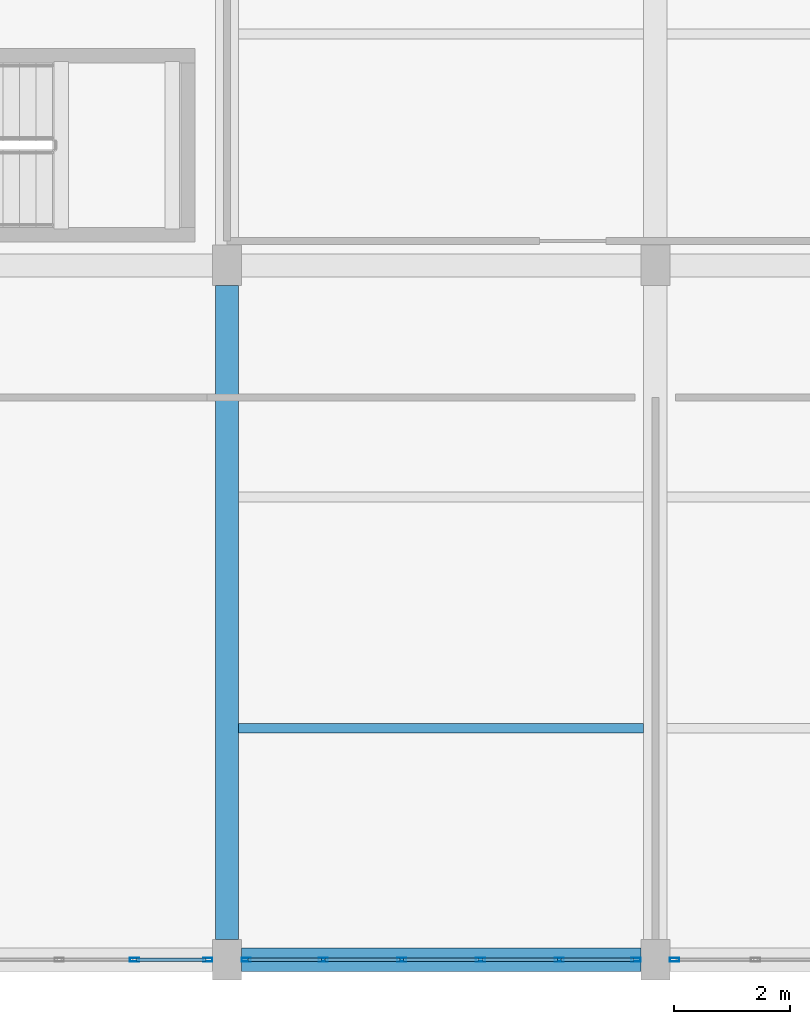
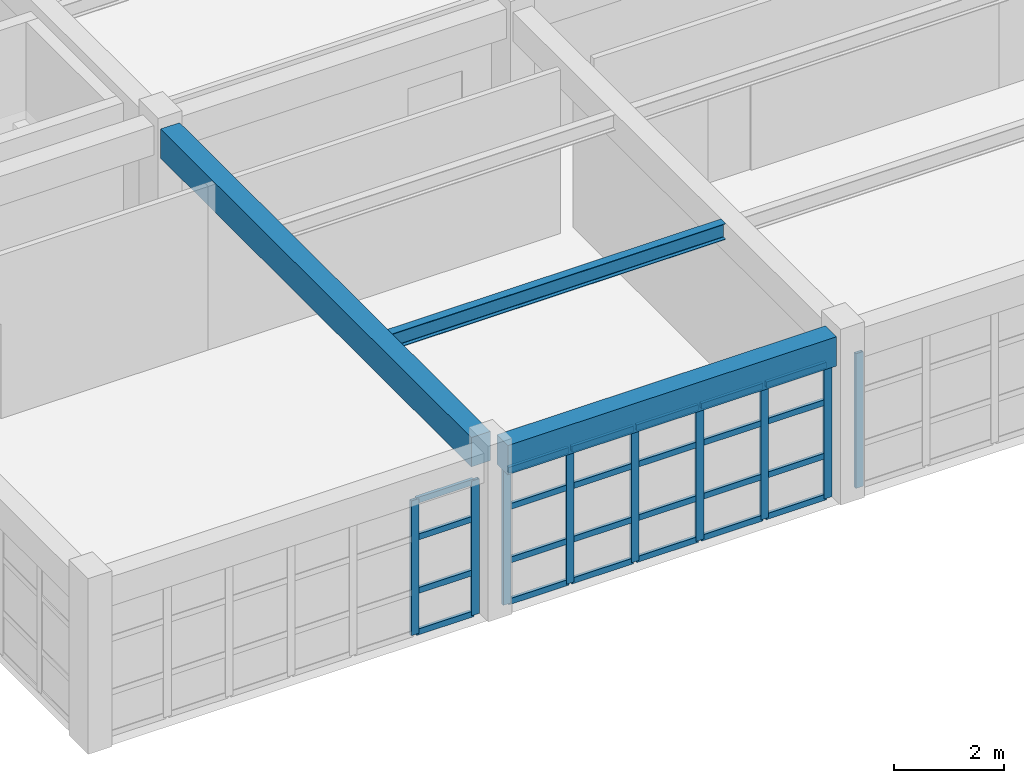
# One storey, part 19 of 150: 33 members, 3 beams, 3 elements without a shape of their own.
"""IFC4 building model written with IfcOpenShell, lengths in metres."""

from ifc_helpers import new_model, si_unit, direction, frame, origin, origin_2d, place, context, subcontext, project, spatial, rectangle, hollow_rectangle, i_section, extrude, material, material_profile, profile_set, type_object, element, aggregate, save


model = new_model("IFC4")

# Units and contexts
model_context = context("Model", 3, precision=1e-05, world=origin(), true_north=direction((0.0, 1.0)))
body_context = subcontext(model_context, "Body", "Model", "MODEL_VIEW")
ifc_project = project(units=[si_unit("LENGTHUNIT", "METRE"), si_unit("AREAUNIT", "SQUARE_METRE"), si_unit("VOLUMEUNIT", "CUBIC_METRE"), si_unit("PLANEANGLEUNIT", "RADIAN"), si_unit("MASSUNIT", "GRAM", prefix="KILO")], contexts=[model_context])

# Site, building, storey
site_placement = place(None, origin())
site = spatial("IfcSite", under=ifc_project, at=site_placement, CompositionType="ELEMENT")
building_placement = place(site_placement, origin())
building = spatial("IfcBuilding", under=site, at=building_placement, Name="Kestramere Prow Commons", CompositionType="ELEMENT")
storey_placement = place(building_placement, frame((0.0, 0.0, 4.5)))
storey = spatial("IfcBuildingStorey", under=building, at=storey_placement, Name="L01", CompositionType="ELEMENT", Elevation=4.5)

# Beams
ifc_material_1 = material(Name="Precast concrete C40/50", Category="concrete")
ifc_material_profile_1 = material_profile(ifc_material_1, rectangle(XDim=0.39990234375, YDim=0.64990234375, at=origin_2d()), Name="PC-BM 400x650")
ifc_profile_set_1 = profile_set([ifc_material_profile_1], Name="Precast concrete C40/50")
beam_type_1 = type_object("IfcBeamType", Name="BM-MK-01 PC-BM 400x650", PredefinedType="BEAM", material=ifc_profile_set_1)
beam_1_placement = place(storey_placement, frame((68.39990234375, 0.35009765625, 3.324951171875), z_axis=(0.0, 1.0, 0.0), x_axis=(-1.0, 0.0, 0.0)))
element("IfcBeam", 1, at=beam_1_placement, inside=storey, type_object=beam_type_1, Name="Market Spine L01 Beam Y 2-1", PredefinedType="BEAM", context=body_context, shape_type="SweptSolid", body=[
    extrude(rectangle(XDim=0.39990234375, YDim=0.64990234375, at=origin_2d()), origin(), (0.0, 0.0, 1.0), 11.2998046875),
])
ifc_material_profile_2 = material_profile(ifc_material_1, rectangle(XDim=0.39990234375, YDim=0.64990234375, at=origin_2d()), Name="PC-BM 400x650")
ifc_profile_set_2 = profile_set([ifc_material_profile_2], Name="Precast concrete C40/50")
beam_type_2 = type_object("IfcBeamType", Name="BM-MK-01 PC-BM 400x650 (EX)", PredefinedType="BEAM", material=ifc_profile_set_2)
beam_2_placement = place(storey_placement, frame((68.64990234375, 0.0, 3.324951171875), z_axis=(1.0, 0.0, 0.0), x_axis=(0.0, 1.0, 0.0)))
element("IfcBeam", 2, at=beam_2_placement, inside=storey, type_object=beam_type_2, Name="Market Spine L01 Beam X 1-2", PredefinedType="BEAM", context=body_context, shape_type="SweptSolid", body=[
    extrude(rectangle(XDim=0.39990234375, YDim=0.64990234375, at=origin_2d()), origin(), (0.0, 0.0, 1.0), 6.900146484375),
])

# Curtain wall, members
ifc_material_2 = material(Name="Anodised Aluminium and Low-E Glass", Category="aluminium")
curtain_wall_type_1 = type_object("IfcCurtainWallType", Name="CW-23 Glazed Curtain Wall 7800x2990", PredefinedType="USERDEFINED", material=ifc_material_2)
curtain_wall_1_placement = place(storey_placement, origin())
curtain_wall_1 = element("IfcCurtainWall", 3, at=curtain_wall_1_placement, inside=storey, type_object=curtain_wall_type_1, Name="Market L01 South Shopfront 1", ObjectType="GLAZED CURTAIN WALL", PredefinedType="USERDEFINED")
ifc_material_3 = material(Name="Anodised Aluminium 6063-T6", Category="aluminium")
ifc_material_profile_3 = material_profile(ifc_material_3, hollow_rectangle(XDim=0.06494140625, YDim=0.159912109375, WallThickness=0.00390625, at=origin_2d()), Name="ALU-MUL 65x160")
ifc_profile_set_3 = profile_set([ifc_material_profile_3], Name="Anodised Aluminium 6063-T6")
member_type_1 = type_object("IfcMemberType", Name="CW-MUL-65x160", PredefinedType="MULLION", material=ifc_profile_set_3)
member_1_placement = place(storey_placement, frame((68.0673828125, 0.0, 0.0), z_axis=(0.0, 0.0, 1.0), x_axis=(0.0, -1.0, 0.0)))
member_1 = element("IfcMember", 4, at=member_1_placement, type_object=member_type_1, Name="CW-23 mullion 1", PredefinedType="MULLION", context=body_context, shape_type="SweptSolid", body=[
    extrude(hollow_rectangle(XDim=0.06494140625, YDim=0.159912109375, WallThickness=0.00390625, at=origin_2d()), origin(), (0.0, 0.0, 1.0), 2.989990234375),
])
member_2_placement = place(storey_placement, frame((66.800048828125, 0.0, 0.0), z_axis=(0.0, 0.0, 1.0), x_axis=(0.0, -1.0, 0.0)))
member_2 = element("IfcMember", 5, at=member_2_placement, type_object=member_type_1, Name="CW-23 mullion 2", PredefinedType="MULLION", context=body_context, shape_type="SweptSolid", body=[
    extrude(hollow_rectangle(XDim=0.06494140625, YDim=0.159912109375, WallThickness=0.00390625, at=origin_2d()), origin(), (0.0, 0.0, 1.0), 2.989990234375),
])

curtain_wall_type_2 = type_object("IfcCurtainWallType", Name="CW-24 Glazed Curtain Wall 6800x2990", PredefinedType="USERDEFINED", material=ifc_material_2)
curtain_wall_2_placement = place(storey_placement, origin())
curtain_wall_2 = element("IfcCurtainWall", 6, at=curtain_wall_2_placement, inside=storey, type_object=curtain_wall_type_2, Name="Market L01 South Shopfront 2", ObjectType="GLAZED CURTAIN WALL", PredefinedType="USERDEFINED")
member_3_placement = place(storey_placement, frame((75.467529296875, 0.0, 0.0), z_axis=(0.0, 0.0, 1.0), x_axis=(0.0, -1.0, 0.0)))
member_3 = element("IfcMember", 7, at=member_3_placement, type_object=member_type_1, Name="CW-24 mullion 1", PredefinedType="MULLION", context=body_context, shape_type="SweptSolid", body=[
    extrude(hollow_rectangle(XDim=0.06494140625, YDim=0.159912109375, WallThickness=0.00390625, at=origin_2d()), origin(), (0.0, 0.0, 1.0), 2.989990234375),
])
member_4_placement = place(storey_placement, frame((74.139892578125, 0.0, 0.0), z_axis=(0.0, 0.0, 1.0), x_axis=(0.0, -1.0, 0.0)))
member_4 = element("IfcMember", 8, at=member_4_placement, type_object=member_type_1, Name="CW-24 mullion 2", PredefinedType="MULLION", context=body_context, shape_type="SweptSolid", body=[
    extrude(hollow_rectangle(XDim=0.06494140625, YDim=0.159912109375, WallThickness=0.00390625, at=origin_2d()), origin(), (0.0, 0.0, 1.0), 2.989990234375),
])
member_5_placement = place(storey_placement, frame((72.780029296875, 0.0, 0.0), z_axis=(0.0, 0.0, 1.0), x_axis=(0.0, -1.0, 0.0)))
member_5 = element("IfcMember", 9, at=member_5_placement, type_object=member_type_1, Name="CW-24 mullion 3", PredefinedType="MULLION", context=body_context, shape_type="SweptSolid", body=[
    extrude(hollow_rectangle(XDim=0.06494140625, YDim=0.159912109375, WallThickness=0.00390625, at=origin_2d()), origin(), (0.0, 0.0, 1.0), 2.989990234375),
])
member_6_placement = place(storey_placement, frame((71.419921875, 0.0, 0.0), z_axis=(0.0, 0.0, 1.0), x_axis=(0.0, -1.0, 0.0)))
member_6 = element("IfcMember", 10, at=member_6_placement, type_object=member_type_1, Name="CW-24 mullion 4", PredefinedType="MULLION", context=body_context, shape_type="SweptSolid", body=[
    extrude(hollow_rectangle(XDim=0.06494140625, YDim=0.159912109375, WallThickness=0.00390625, at=origin_2d()), origin(), (0.0, 0.0, 1.0), 2.989990234375),
])
member_7_placement = place(storey_placement, frame((70.06005859375, 0.0, 0.0), z_axis=(0.0, 0.0, 1.0), x_axis=(0.0, -1.0, 0.0)))
member_7 = element("IfcMember", 11, at=member_7_placement, type_object=member_type_1, Name="CW-24 mullion 5", PredefinedType="MULLION", context=body_context, shape_type="SweptSolid", body=[
    extrude(hollow_rectangle(XDim=0.06494140625, YDim=0.159912109375, WallThickness=0.00390625, at=origin_2d()), origin(), (0.0, 0.0, 1.0), 2.989990234375),
])
member_8_placement = place(storey_placement, frame((68.732421875, 0.0, 0.0), z_axis=(0.0, 0.0, 1.0), x_axis=(0.0, -1.0, 0.0)))
member_8 = element("IfcMember", 12, at=member_8_placement, type_object=member_type_1, Name="CW-24 mullion 6", PredefinedType="MULLION", context=body_context, shape_type="SweptSolid", body=[
    extrude(hollow_rectangle(XDim=0.06494140625, YDim=0.159912109375, WallThickness=0.00390625, at=origin_2d()), origin(), (0.0, 0.0, 1.0), 2.989990234375),
])

# Curtain wall, member
curtain_wall_type_3 = type_object("IfcCurtainWallType", Name="CW-25 Glazed Curtain Wall 8600x2990", PredefinedType="USERDEFINED", material=ifc_material_2)
curtain_wall_3_placement = place(storey_placement, origin())
curtain_wall_3 = element("IfcCurtainWall", 13, at=curtain_wall_3_placement, inside=storey, type_object=curtain_wall_type_3, Name="Market L01 South Shopfront 3", ObjectType="GLAZED CURTAIN WALL", PredefinedType="USERDEFINED")
member_9_placement = place(storey_placement, frame((76.132568359375, 0.0, 0.0), z_axis=(0.0, 0.0, 1.0), x_axis=(0.0, -1.0, 0.0)))
member_9 = element("IfcMember", 14, at=member_9_placement, type_object=member_type_1, Name="CW-25 mullion 7", PredefinedType="MULLION", context=body_context, shape_type="SweptSolid", body=[
    extrude(hollow_rectangle(XDim=0.06494140625, YDim=0.159912109375, WallThickness=0.00390625, at=origin_2d()), origin(), (0.0, 0.0, 1.0), 2.989990234375),
])
aggregate(curtain_wall_3, [member_9])

# Member
ifc_material_profile_4 = material_profile(ifc_material_3, hollow_rectangle(XDim=0.06494140625, YDim=0.1298828125, WallThickness=0.00390625, at=origin_2d()), Name="ALU-TRN 65x130")
ifc_profile_set_4 = profile_set([ifc_material_profile_4], Name="Anodised Aluminium 6063-T6")
member_type_2 = type_object("IfcMemberType", Name="CW-TRN-65x130", PredefinedType="USERDEFINED", material=ifc_profile_set_4)
member_10_placement = place(storey_placement, frame((68.034912109375, 0.0, 0.032470703125), z_axis=(-1.0, 0.0, 0.0), x_axis=(0.0, -1.0, 0.0)))
member_10 = element("IfcMember", 15, at=member_10_placement, type_object=member_type_2, Name="CW-23 transom 1.1", ObjectType="TRANSOM", PredefinedType="USERDEFINED", context=body_context, shape_type="SweptSolid", body=[
    extrude(hollow_rectangle(XDim=0.06494140625, YDim=0.1298828125, WallThickness=0.00390625, at=origin_2d()), origin(), (0.0, 0.0, 1.0), 1.202392578125),
])

member_11_placement = place(storey_placement, frame((68.034912109375, 0.0, 0.949951171875), z_axis=(-1.0, 0.0, 0.0), x_axis=(0.0, -1.0, 0.0)))
member_11 = element("IfcMember", 16, at=member_11_placement, type_object=member_type_2, Name="CW-23 transom 1.2", ObjectType="TRANSOM", PredefinedType="USERDEFINED", context=body_context, shape_type="SweptSolid", body=[
    extrude(hollow_rectangle(XDim=0.06494140625, YDim=0.1298828125, WallThickness=0.00390625, at=origin_2d()), origin(), (0.0, 0.0, 1.0), 1.202392578125),
])

member_12_placement = place(storey_placement, frame((68.034912109375, 0.0, 2.139892578125), z_axis=(-1.0, 0.0, 0.0), x_axis=(0.0, -1.0, 0.0)))
member_12 = element("IfcMember", 17, at=member_12_placement, type_object=member_type_2, Name="CW-23 transom 1.3", ObjectType="TRANSOM", PredefinedType="USERDEFINED", context=body_context, shape_type="SweptSolid", body=[
    extrude(hollow_rectangle(XDim=0.06494140625, YDim=0.1298828125, WallThickness=0.00390625, at=origin_2d()), origin(), (0.0, 0.0, 1.0), 1.202392578125),
])

member_13_placement = place(storey_placement, frame((68.034912109375, 0.0, 2.95751953125), z_axis=(-1.0, 0.0, 0.0), x_axis=(0.0, -1.0, 0.0)))
member_13 = element("IfcMember", 18, at=member_13_placement, type_object=member_type_2, Name="CW-23 transom 1.4", ObjectType="TRANSOM", PredefinedType="USERDEFINED", context=body_context, shape_type="SweptSolid", body=[
    extrude(hollow_rectangle(XDim=0.06494140625, YDim=0.1298828125, WallThickness=0.00390625, at=origin_2d()), origin(), (0.0, 0.0, 1.0), 1.202392578125),
])

aggregate(curtain_wall_1, [member_1, member_2, member_10, member_11, member_12, member_13])

member_14_placement = place(storey_placement, frame((75.43505859375, 0.0, 0.032470703125), z_axis=(-1.0, 0.0, 0.0), x_axis=(0.0, -1.0, 0.0)))
member_14 = element("IfcMember", 19, at=member_14_placement, type_object=member_type_2, Name="CW-24 transom 1.1", ObjectType="TRANSOM", PredefinedType="USERDEFINED", context=body_context, shape_type="SweptSolid", body=[
    extrude(hollow_rectangle(XDim=0.06494140625, YDim=0.1298828125, WallThickness=0.00390625, at=origin_2d()), origin(), (0.0, 0.0, 1.0), 1.262451171875),
])

member_15_placement = place(storey_placement, frame((75.43505859375, 0.0, 0.949951171875), z_axis=(-1.0, 0.0, 0.0), x_axis=(0.0, -1.0, 0.0)))
member_15 = element("IfcMember", 20, at=member_15_placement, type_object=member_type_2, Name="CW-24 transom 1.2", ObjectType="TRANSOM", PredefinedType="USERDEFINED", context=body_context, shape_type="SweptSolid", body=[
    extrude(hollow_rectangle(XDim=0.06494140625, YDim=0.1298828125, WallThickness=0.00390625, at=origin_2d()), origin(), (0.0, 0.0, 1.0), 1.262451171875),
])

member_16_placement = place(storey_placement, frame((75.43505859375, 0.0, 2.139892578125), z_axis=(-1.0, 0.0, 0.0), x_axis=(0.0, -1.0, 0.0)))
member_16 = element("IfcMember", 21, at=member_16_placement, type_object=member_type_2, Name="CW-24 transom 1.3", ObjectType="TRANSOM", PredefinedType="USERDEFINED", context=body_context, shape_type="SweptSolid", body=[
    extrude(hollow_rectangle(XDim=0.06494140625, YDim=0.1298828125, WallThickness=0.00390625, at=origin_2d()), origin(), (0.0, 0.0, 1.0), 1.262451171875),
])

member_17_placement = place(storey_placement, frame((75.43505859375, 0.0, 2.95751953125), z_axis=(-1.0, 0.0, 0.0), x_axis=(0.0, -1.0, 0.0)))
member_17 = element("IfcMember", 22, at=member_17_placement, type_object=member_type_2, Name="CW-24 transom 1.4", ObjectType="TRANSOM", PredefinedType="USERDEFINED", context=body_context, shape_type="SweptSolid", body=[
    extrude(hollow_rectangle(XDim=0.06494140625, YDim=0.1298828125, WallThickness=0.00390625, at=origin_2d()), origin(), (0.0, 0.0, 1.0), 1.262451171875),
])

member_18_placement = place(storey_placement, frame((74.107421875, 0.0, 0.032470703125), z_axis=(-1.0, 0.0, 0.0), x_axis=(0.0, -1.0, 0.0)))
member_18 = element("IfcMember", 23, at=member_18_placement, type_object=member_type_2, Name="CW-24 transom 2.1", ObjectType="TRANSOM", PredefinedType="USERDEFINED", context=body_context, shape_type="SweptSolid", body=[
    extrude(hollow_rectangle(XDim=0.06494140625, YDim=0.1298828125, WallThickness=0.00390625, at=origin_2d()), origin(), (0.0, 0.0, 1.0), 1.294921875),
])

member_19_placement = place(storey_placement, frame((74.107421875, 0.0, 0.949951171875), z_axis=(-1.0, 0.0, 0.0), x_axis=(0.0, -1.0, 0.0)))
member_19 = element("IfcMember", 24, at=member_19_placement, type_object=member_type_2, Name="CW-24 transom 2.2", ObjectType="TRANSOM", PredefinedType="USERDEFINED", context=body_context, shape_type="SweptSolid", body=[
    extrude(hollow_rectangle(XDim=0.06494140625, YDim=0.1298828125, WallThickness=0.00390625, at=origin_2d()), origin(), (0.0, 0.0, 1.0), 1.294921875),
])

member_20_placement = place(storey_placement, frame((74.107421875, 0.0, 2.139892578125), z_axis=(-1.0, 0.0, 0.0), x_axis=(0.0, -1.0, 0.0)))
member_20 = element("IfcMember", 25, at=member_20_placement, type_object=member_type_2, Name="CW-24 transom 2.3", ObjectType="TRANSOM", PredefinedType="USERDEFINED", context=body_context, shape_type="SweptSolid", body=[
    extrude(hollow_rectangle(XDim=0.06494140625, YDim=0.1298828125, WallThickness=0.00390625, at=origin_2d()), origin(), (0.0, 0.0, 1.0), 1.294921875),
])

member_21_placement = place(storey_placement, frame((74.107421875, 0.0, 2.95751953125), z_axis=(-1.0, 0.0, 0.0), x_axis=(0.0, -1.0, 0.0)))
member_21 = element("IfcMember", 26, at=member_21_placement, type_object=member_type_2, Name="CW-24 transom 2.4", ObjectType="TRANSOM", PredefinedType="USERDEFINED", context=body_context, shape_type="SweptSolid", body=[
    extrude(hollow_rectangle(XDim=0.06494140625, YDim=0.1298828125, WallThickness=0.00390625, at=origin_2d()), origin(), (0.0, 0.0, 1.0), 1.294921875),
])

member_22_placement = place(storey_placement, frame((72.74755859375, 0.0, 0.032470703125), z_axis=(-1.0, 0.0, 0.0), x_axis=(0.0, -1.0, 0.0)))
member_22 = element("IfcMember", 27, at=member_22_placement, type_object=member_type_2, Name="CW-24 transom 3.1", ObjectType="TRANSOM", PredefinedType="USERDEFINED", context=body_context, shape_type="SweptSolid", body=[
    extrude(hollow_rectangle(XDim=0.06494140625, YDim=0.1298828125, WallThickness=0.00390625, at=origin_2d()), origin(), (0.0, 0.0, 1.0), 1.295166015625),
])

member_23_placement = place(storey_placement, frame((72.74755859375, 0.0, 0.949951171875), z_axis=(-1.0, 0.0, 0.0), x_axis=(0.0, -1.0, 0.0)))
member_23 = element("IfcMember", 28, at=member_23_placement, type_object=member_type_2, Name="CW-24 transom 3.2", ObjectType="TRANSOM", PredefinedType="USERDEFINED", context=body_context, shape_type="SweptSolid", body=[
    extrude(hollow_rectangle(XDim=0.06494140625, YDim=0.1298828125, WallThickness=0.00390625, at=origin_2d()), origin(), (0.0, 0.0, 1.0), 1.295166015625),
])

member_24_placement = place(storey_placement, frame((72.74755859375, 0.0, 2.139892578125), z_axis=(-1.0, 0.0, 0.0), x_axis=(0.0, -1.0, 0.0)))
member_24 = element("IfcMember", 29, at=member_24_placement, type_object=member_type_2, Name="CW-24 transom 3.3", ObjectType="TRANSOM", PredefinedType="USERDEFINED", context=body_context, shape_type="SweptSolid", body=[
    extrude(hollow_rectangle(XDim=0.06494140625, YDim=0.1298828125, WallThickness=0.00390625, at=origin_2d()), origin(), (0.0, 0.0, 1.0), 1.295166015625),
])

member_25_placement = place(storey_placement, frame((72.74755859375, 0.0, 2.95751953125), z_axis=(-1.0, 0.0, 0.0), x_axis=(0.0, -1.0, 0.0)))
member_25 = element("IfcMember", 30, at=member_25_placement, type_object=member_type_2, Name="CW-24 transom 3.4", ObjectType="TRANSOM", PredefinedType="USERDEFINED", context=body_context, shape_type="SweptSolid", body=[
    extrude(hollow_rectangle(XDim=0.06494140625, YDim=0.1298828125, WallThickness=0.00390625, at=origin_2d()), origin(), (0.0, 0.0, 1.0), 1.295166015625),
])

member_26_placement = place(storey_placement, frame((71.387451171875, 0.0, 0.032470703125), z_axis=(-1.0, 0.0, 0.0), x_axis=(0.0, -1.0, 0.0)))
member_26 = element("IfcMember", 31, at=member_26_placement, type_object=member_type_2, Name="CW-24 transom 4.1", ObjectType="TRANSOM", PredefinedType="USERDEFINED", context=body_context, shape_type="SweptSolid", body=[
    extrude(hollow_rectangle(XDim=0.06494140625, YDim=0.1298828125, WallThickness=0.00390625, at=origin_2d()), origin(), (0.0, 0.0, 1.0), 1.294921875),
])

member_27_placement = place(storey_placement, frame((71.387451171875, 0.0, 0.949951171875), z_axis=(-1.0, 0.0, 0.0), x_axis=(0.0, -1.0, 0.0)))
member_27 = element("IfcMember", 32, at=member_27_placement, type_object=member_type_2, Name="CW-24 transom 4.2", ObjectType="TRANSOM", PredefinedType="USERDEFINED", context=body_context, shape_type="SweptSolid", body=[
    extrude(hollow_rectangle(XDim=0.06494140625, YDim=0.1298828125, WallThickness=0.00390625, at=origin_2d()), origin(), (0.0, 0.0, 1.0), 1.294921875),
])

member_28_placement = place(storey_placement, frame((71.387451171875, 0.0, 2.139892578125), z_axis=(-1.0, 0.0, 0.0), x_axis=(0.0, -1.0, 0.0)))
member_28 = element("IfcMember", 33, at=member_28_placement, type_object=member_type_2, Name="CW-24 transom 4.3", ObjectType="TRANSOM", PredefinedType="USERDEFINED", context=body_context, shape_type="SweptSolid", body=[
    extrude(hollow_rectangle(XDim=0.06494140625, YDim=0.1298828125, WallThickness=0.00390625, at=origin_2d()), origin(), (0.0, 0.0, 1.0), 1.294921875),
])

member_29_placement = place(storey_placement, frame((71.387451171875, 0.0, 2.95751953125), z_axis=(-1.0, 0.0, 0.0), x_axis=(0.0, -1.0, 0.0)))
member_29 = element("IfcMember", 34, at=member_29_placement, type_object=member_type_2, Name="CW-24 transom 4.4", ObjectType="TRANSOM", PredefinedType="USERDEFINED", context=body_context, shape_type="SweptSolid", body=[
    extrude(hollow_rectangle(XDim=0.06494140625, YDim=0.1298828125, WallThickness=0.00390625, at=origin_2d()), origin(), (0.0, 0.0, 1.0), 1.294921875),
])

member_30_placement = place(storey_placement, frame((70.027587890625, 0.0, 0.032470703125), z_axis=(-1.0, 0.0, 0.0), x_axis=(0.0, -1.0, 0.0)))
member_30 = element("IfcMember", 35, at=member_30_placement, type_object=member_type_2, Name="CW-24 transom 5.1", ObjectType="TRANSOM", PredefinedType="USERDEFINED", context=body_context, shape_type="SweptSolid", body=[
    extrude(hollow_rectangle(XDim=0.06494140625, YDim=0.1298828125, WallThickness=0.00390625, at=origin_2d()), origin(), (0.0, 0.0, 1.0), 1.2626953125),
])

member_31_placement = place(storey_placement, frame((70.027587890625, 0.0, 0.949951171875), z_axis=(-1.0, 0.0, 0.0), x_axis=(0.0, -1.0, 0.0)))
member_31 = element("IfcMember", 36, at=member_31_placement, type_object=member_type_2, Name="CW-24 transom 5.2", ObjectType="TRANSOM", PredefinedType="USERDEFINED", context=body_context, shape_type="SweptSolid", body=[
    extrude(hollow_rectangle(XDim=0.06494140625, YDim=0.1298828125, WallThickness=0.00390625, at=origin_2d()), origin(), (0.0, 0.0, 1.0), 1.2626953125),
])

member_32_placement = place(storey_placement, frame((70.027587890625, 0.0, 2.139892578125), z_axis=(-1.0, 0.0, 0.0), x_axis=(0.0, -1.0, 0.0)))
member_32 = element("IfcMember", 37, at=member_32_placement, type_object=member_type_2, Name="CW-24 transom 5.3", ObjectType="TRANSOM", PredefinedType="USERDEFINED", context=body_context, shape_type="SweptSolid", body=[
    extrude(hollow_rectangle(XDim=0.06494140625, YDim=0.1298828125, WallThickness=0.00390625, at=origin_2d()), origin(), (0.0, 0.0, 1.0), 1.2626953125),
])

member_33_placement = place(storey_placement, frame((70.027587890625, 0.0, 2.95751953125), z_axis=(-1.0, 0.0, 0.0), x_axis=(0.0, -1.0, 0.0)))
member_33 = element("IfcMember", 38, at=member_33_placement, type_object=member_type_2, Name="CW-24 transom 5.4", ObjectType="TRANSOM", PredefinedType="USERDEFINED", context=body_context, shape_type="SweptSolid", body=[
    extrude(hollow_rectangle(XDim=0.06494140625, YDim=0.1298828125, WallThickness=0.00390625, at=origin_2d()), origin(), (0.0, 0.0, 1.0), 1.2626953125),
])

aggregate(curtain_wall_2, [member_3, member_4, member_5, member_6, member_7, member_8, member_14, member_15, member_16, member_17, member_18, member_19, member_20, member_21, member_22, member_23, member_24, member_25, member_26, member_27, member_28, member_29, member_30, member_31, member_32, member_33])

# Beam
ifc_material_4 = material(Name="Steel S355JR", Category="steel")
ifc_material_profile_5 = material_profile(ifc_material_4, i_section(OverallWidth=0.17138671875, OverallDepth=0.35498046875, WebThickness=0.00732421875, FlangeThickness=0.011474609375, FilletRadius=0.01025390625, at=origin_2d()), Name="UB 356x171x51")
ifc_profile_set_5 = profile_set([ifc_material_profile_5], Name="Steel S355JR")
beam_type_3 = type_object("IfcBeamType", Name="JST-MK-01 UB 356x171x51", PredefinedType="JOIST", material=ifc_profile_set_5)
beam_3_placement = place(storey_placement, frame((68.60009765625, 4.0, 3.472412109375), z_axis=(1.0, 0.0, 0.0), x_axis=(0.0, 1.0, 0.0)))
element("IfcBeam", 39, at=beam_3_placement, inside=storey, type_object=beam_type_3, Name="Market Spine L01 Secondary Joist 2-4", PredefinedType="JOIST", context=body_context, shape_type="SweptSolid", body=[
    extrude(i_section(OverallWidth=0.17138671875, OverallDepth=0.35498046875, WebThickness=0.00732421875, FlangeThickness=0.011474609375, FilletRadius=0.01025390625, at=origin_2d()), origin(), (0.0, 0.0, 1.0), 7.0),
])

save(model, "model.ifc")
